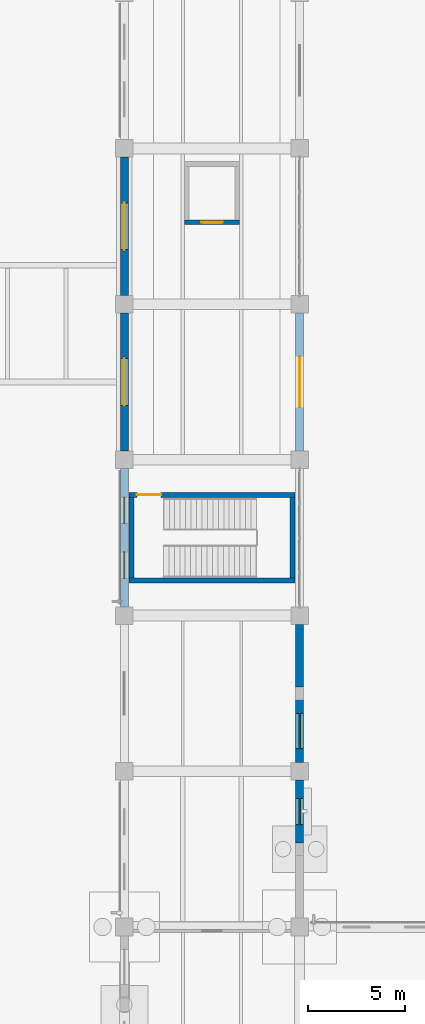
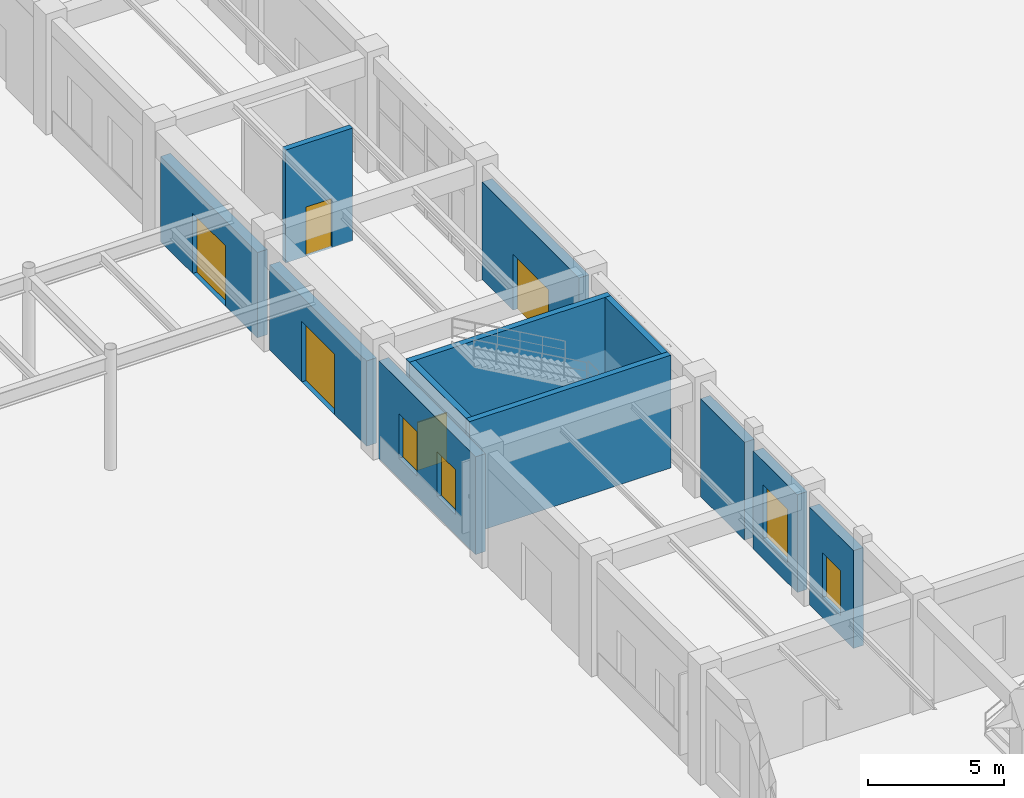
# One storey, part 92 of 121: 12 walls, 5 doors, 4 windows, 9 openings.
"""IFC4 building model written with IfcOpenShell, lengths in metres."""

from ifc_helpers import new_model, si_unit, derived_unit, direction, frame, frame_2d, origin, place, context, subcontext, project, spatial, rectangle, extrude, material, layer, layer_set, type_object, element, fill, save


model = new_model("IFC4")

# Units and contexts
model_context = context("Model", 3, precision=1e-05, world=origin(), true_north=direction((0.0, 1.0)))
body_context = subcontext(model_context, "Body", "Model", "MODEL_VIEW")
ifc_project = project(units=[si_unit("LENGTHUNIT", "METRE"), si_unit("AREAUNIT", "SQUARE_METRE"), si_unit("VOLUMEUNIT", "CUBIC_METRE"), si_unit("PLANEANGLEUNIT", "RADIAN"), si_unit("MASSUNIT", "GRAM", prefix="KILO"), derived_unit("THERMALTRANSMITTANCEUNIT", [(si_unit("MASSUNIT", "GRAM", prefix="KILO"), 1), (si_unit("TIMEUNIT", "SECOND"), -3), (si_unit("THERMODYNAMICTEMPERATUREUNIT", "KELVIN"), -1)])], contexts=[model_context])

# Site, building, storey
site_placement = place(None, origin())
site = spatial("IfcSite", under=ifc_project, at=site_placement, CompositionType="ELEMENT")
building_placement = place(site_placement, origin())
building = spatial("IfcBuilding", under=site, at=building_placement, Name="Zhenchuan Archway Interchange", CompositionType="ELEMENT")
storey_placement = place(building_placement, origin())
storey = spatial("IfcBuildingStorey", under=building, at=storey_placement, Name="L00", CompositionType="ELEMENT", Elevation=0.0)

# Wall, openings, windows
ifc_material_1 = material(Name="Granite Stone Cladding", Category="masonry")
ifc_layer_1 = layer(ifc_material_1, 0.419921875)
ifc_layer_set_1 = layer_set([ifc_layer_1], Name="Granite Stone Cladding")
wall_type_1 = type_object("IfcWallType", Name="EW_GRANITE_420", PredefinedType="STANDARD", material=ifc_layer_set_1)
wall_1_placement = place(storey_placement, frame((99.0, 40.447998046875, 0.0), z_axis=(0.0, 0.0, 1.0), x_axis=(0.0, 1.0, 0.0)))
wall_1 = element("IfcWall", 1, at=wall_1_placement, inside=storey, type_object=wall_type_1, Name="Exterior wall L00-091", PredefinedType="STANDARD", context=body_context, shape_type="SweptSolid", body=[
    extrude(rectangle(XDim=7.10400390625, YDim=0.419921875, at=frame_2d((3.552001953125, 0.0))), origin(), (0.0, 0.0, 1.0), 4.3798828125),
])
opening_1_placement = place(wall_1_placement, frame((1.468017578125, 0.0, 0.89990234375)))
opening_1 = element("IfcOpeningElement", 2, at=opening_1_placement, cuts=wall_1, Name="Opening W-06", PredefinedType="OPENING", context=body_context, shape_type="SweptSolid", body=[
    extrude(rectangle(XDim=1.35009765625, YDim=2.0, at=frame_2d((0.675048828125, 1.0))), frame((0.0, 0.221923828125, 0.0), z_axis=(0.0, -1.0, 0.0), x_axis=(1.0, 0.0, 0.0)), (0.0, 0.0, 1.0), 0.44384765625),
])
opening_2_placement = place(wall_1_placement, frame((4.285888671875, 0.0, 0.89990234375)))
opening_2 = element("IfcOpeningElement", 3, at=opening_2_placement, cuts=wall_1, Name="Opening W-06", PredefinedType="OPENING", context=body_context, shape_type="SweptSolid", body=[
    extrude(rectangle(XDim=1.35009765625, YDim=2.0, at=frame_2d((0.675048828125, 1.0))), frame((0.0, 0.221923828125, 0.0), z_axis=(0.0, -1.0, 0.0), x_axis=(1.0, 0.0, 0.0)), (0.0, 0.0, 1.0), 0.44384765625),
])
ifc_material_2 = material(Name="Double Low-E Insulated Glazing", Category="glass")
window_type_1 = type_object("IfcWindowType", Name="WN_MOD_1350x2000", PartitioningType="SINGLE_PANEL", PredefinedType="WINDOW", material=ifc_material_2)
window_1_placement = place(opening_1_placement, origin())
window_1 = element("IfcWindow", 4, at=window_1_placement, inside=storey, type_object=window_type_1, Name="Window L00-0071", OverallHeight=2.0, OverallWidth=1.35009765625, PartitioningType="SINGLE_PANEL", PredefinedType="WINDOW", context=body_context, shape_type="SweptSolid", body=[
    extrude(rectangle(XDim=1.35009765625, YDim=2.0, at=frame_2d((0.675048828125, 1.0))), frame((0.0, 0.030029296875, 0.0), z_axis=(0.0, -1.0, 0.0), x_axis=(1.0, 0.0, 0.0)), (0.0, 0.0, 1.0), 0.06005859375),
])
fill(opening_1, window_1)
window_2_placement = place(opening_2_placement, origin())
window_2 = element("IfcWindow", 5, at=window_2_placement, inside=storey, type_object=window_type_1, Name="Window L00-0072", OverallHeight=2.0, OverallWidth=1.35009765625, PartitioningType="SINGLE_PANEL", PredefinedType="WINDOW", context=body_context, shape_type="SweptSolid", body=[
    extrude(rectangle(XDim=1.35009765625, YDim=2.0, at=frame_2d((0.675048828125, 1.0))), frame((0.0, 0.030029296875, 0.0), z_axis=(0.0, -1.0, 0.0), x_axis=(1.0, 0.0, 0.0)), (0.0, 0.0, 1.0), 0.06005859375),
])
fill(opening_2, window_2)

# Wall, opening, door
wall_2_placement = place(storey_placement, frame((99.0, 48.447998046875, 0.0), z_axis=(0.0, 0.0, 1.0), x_axis=(0.0, 1.0, 0.0)))
wall_2 = element("IfcWall", 6, at=wall_2_placement, inside=storey, type_object=wall_type_1, Name="Exterior wall L00-092", PredefinedType="STANDARD", context=body_context, shape_type="SweptSolid", body=[
    extrude(rectangle(XDim=7.10400390625, YDim=0.419921875, at=frame_2d((3.552001953125, 0.0))), origin(), (0.0, 0.0, 1.0), 3.820068359375),
])
opening_3_placement = place(wall_2_placement, frame((2.35205078125, 0.0, 0.0)))
opening_3 = element("IfcOpeningElement", 7, at=opening_3_placement, cuts=wall_2, Name="Opening ED-01", PredefinedType="OPENING", context=body_context, shape_type="SweptSolid", body=[
    extrude(rectangle(XDim=2.39990234375, YDim=2.699951171875, at=frame_2d((1.199951171875, 1.35009765625))), frame((0.0, 0.221923828125, 0.0), z_axis=(0.0, -1.0, 0.0), x_axis=(1.0, 0.0, 0.0)), (0.0, 0.0, 1.0), 0.44384765625),
])
ifc_material_3 = material(Name="Anodised Aluminium", Category="aluminium")
door_type_1 = type_object("IfcDoorType", Name="ED_MAIN_2400x2700", OperationType="DOUBLE_DOOR_SINGLE_SWING", PredefinedType="DOOR", material=ifc_material_3)
door_1_placement = place(opening_3_placement, origin())
door_1 = element("IfcDoor", 8, at=door_1_placement, inside=storey, type_object=door_type_1, Name="Exterior entrance door L00-034", OperationType="SINGLE_SWING_LEFT", OverallHeight=2.699951171875, OverallWidth=2.39990234375, PredefinedType="DOOR", context=body_context, shape_type="SweptSolid", body=[
    extrude(rectangle(XDim=2.39990234375, YDim=2.699951171875, at=frame_2d((1.199951171875, 1.35009765625))), frame((0.0, 0.02490234375, 0.0), z_axis=(0.0, -1.0, 0.0), x_axis=(1.0, 0.0, 0.0)), (0.0, 0.0, 1.0), 0.050048828125),
])
fill(opening_3, door_1)

wall_3_placement = place(storey_placement, frame((99.0, 56.447998046875, 0.0), z_axis=(0.0, 0.0, 1.0), x_axis=(0.0, 1.0, 0.0)))
wall_3 = element("IfcWall", 9, at=wall_3_placement, inside=storey, type_object=wall_type_1, Name="Exterior wall L00-093", PredefinedType="STANDARD", context=body_context, shape_type="SweptSolid", body=[
    extrude(rectangle(XDim=7.10400390625, YDim=0.419921875, at=frame_2d((3.552001953125, 0.0))), origin(), (0.0, 0.0, 1.0), 3.820068359375),
])
opening_4_placement = place(wall_3_placement, frame((2.35205078125, 0.0, 0.0)))
opening_4 = element("IfcOpeningElement", 10, at=opening_4_placement, cuts=wall_3, Name="Opening ED-01", PredefinedType="OPENING", context=body_context, shape_type="SweptSolid", body=[
    extrude(rectangle(XDim=2.39990234375, YDim=2.699951171875, at=frame_2d((1.199951171875, 1.35009765625))), frame((0.0, 0.221923828125, 0.0), z_axis=(0.0, -1.0, 0.0), x_axis=(1.0, 0.0, 0.0)), (0.0, 0.0, 1.0), 0.44384765625),
])
door_2_placement = place(opening_4_placement, origin())
door_2 = element("IfcDoor", 11, at=door_2_placement, inside=storey, type_object=door_type_1, Name="Exterior entrance door L00-035", OperationType="SINGLE_SWING_LEFT", OverallHeight=2.699951171875, OverallWidth=2.39990234375, PredefinedType="DOOR", context=body_context, shape_type="SweptSolid", body=[
    extrude(rectangle(XDim=2.39990234375, YDim=2.699951171875, at=frame_2d((1.199951171875, 1.35009765625))), frame((0.0, 0.02490234375, 0.0), z_axis=(0.0, -1.0, 0.0), x_axis=(1.0, 0.0, 0.0)), (0.0, 0.0, 1.0), 0.050048828125),
])
fill(opening_4, door_2)

wall_4_placement = place(storey_placement, frame((108.0, 55.552001953125, 0.0), z_axis=(0.0, 0.0, 1.0), x_axis=(0.0, -1.0, 0.0)))
wall_4 = element("IfcWall", 12, at=wall_4_placement, inside=storey, type_object=wall_type_1, Name="Exterior wall L00-121", PredefinedType="STANDARD", context=body_context, shape_type="SweptSolid", body=[
    extrude(rectangle(XDim=7.10400390625, YDim=0.419921875, at=frame_2d((3.552001953125, 0.0))), origin(), (0.0, 0.0, 1.0), 4.3798828125),
])
opening_5_placement = place(wall_4_placement, frame((2.251953125, 0.0, 0.0)))
opening_5 = element("IfcOpeningElement", 13, at=opening_5_placement, cuts=wall_4, Name="Opening CG-02", PredefinedType="OPENING", context=body_context, shape_type="SweptSolid", body=[
    extrude(rectangle(XDim=2.60009765625, YDim=2.5, at=frame_2d((1.300048828125, 1.25))), frame((0.0, 0.221923828125, 0.0), z_axis=(0.0, -1.0, 0.0), x_axis=(1.0, 0.0, 0.0)), (0.0, 0.0, 1.0), 0.44384765625),
])
ifc_material_4 = material(Name="Painted Galvanised Steel", Category="steel")
door_type_2 = type_object("IfcDoorType", Name="CG_COURT_2600x2500", OperationType="DOUBLE_DOOR_SINGLE_SWING", PredefinedType="GATE", material=ifc_material_4)
door_3_placement = place(opening_5_placement, origin())
door_3 = element("IfcDoor", 14, at=door_3_placement, inside=storey, type_object=door_type_2, Name="Exterior entrance door L00-038", OperationType="SINGLE_SWING_LEFT", OverallHeight=2.5, OverallWidth=2.60009765625, PredefinedType="GATE", context=body_context, shape_type="SweptSolid", body=[
    extrude(rectangle(XDim=2.60009765625, YDim=2.5, at=frame_2d((1.300048828125, 1.25))), frame((0.0, 0.02490234375, 0.0), z_axis=(0.0, -1.0, 0.0), x_axis=(1.0, 0.0, 0.0)), (0.0, 0.0, 1.0), 0.050048828125),
])
fill(opening_5, door_3)

# Wall
wall_5_placement = place(storey_placement, frame((108.0, 39.552001953125, 0.0), z_axis=(0.0, 0.0, 1.0), x_axis=(0.0, -1.0, 0.0)))
element("IfcWall", 15, at=wall_5_placement, inside=storey, type_object=wall_type_1, Name="Exterior wall L00-123", PredefinedType="STANDARD", context=body_context, shape_type="SweptSolid", body=[
    extrude(rectangle(XDim=3.22900390625, YDim=0.419921875, at=frame_2d((1.614501953125, 0.0))), origin(), (0.0, 0.0, 1.0), 4.3798828125),
])

# Wall, opening, window
wall_6_placement = place(storey_placement, frame((108.0, 35.677001953125, 0.0), z_axis=(0.0, 0.0, 1.0), x_axis=(0.0, -1.0, 0.0)))
wall_6 = element("IfcWall", 16, at=wall_6_placement, inside=storey, type_object=wall_type_1, Name="Exterior wall L00-124", PredefinedType="STANDARD", context=body_context, shape_type="SweptSolid", body=[
    extrude(rectangle(XDim=3.22900390625, YDim=0.419921875, at=frame_2d((1.614501953125, 0.0))), origin(), (0.0, 0.0, 1.0), 4.3798828125),
])
opening_6_placement = place(wall_6_placement, frame((0.714599609375, 0.0, 0.89990234375)))
opening_6 = element("IfcOpeningElement", 17, at=opening_6_placement, cuts=wall_6, Name="Opening W-03", PredefinedType="OPENING", context=body_context, shape_type="SweptSolid", body=[
    extrude(rectangle(XDim=1.800048828125, YDim=2.39990234375, at=frame_2d((0.89990234375, 1.199951171875))), frame((0.0, 0.221923828125, 0.0), z_axis=(0.0, -1.0, 0.0), x_axis=(1.0, 0.0, 0.0)), (0.0, 0.0, 1.0), 0.44384765625),
])
window_type_2 = type_object("IfcWindowType", Name="WN_PUNCH_1800x2400", PartitioningType="SINGLE_PANEL", PredefinedType="WINDOW", material=ifc_material_2)
window_3_placement = place(opening_6_placement, origin())
window_3 = element("IfcWindow", 18, at=window_3_placement, inside=storey, type_object=window_type_2, Name="Window L00-0100", OverallHeight=2.39990234375, OverallWidth=1.800048828125, PartitioningType="SINGLE_PANEL", PredefinedType="WINDOW", context=body_context, shape_type="SweptSolid", body=[
    extrude(rectangle(XDim=1.800048828125, YDim=2.39990234375, at=frame_2d((0.89990234375, 1.199951171875))), frame((0.0, 0.030029296875, 0.0), z_axis=(0.0, -1.0, 0.0), x_axis=(1.0, 0.0, 0.0)), (0.0, 0.0, 1.0), 0.06005859375),
])
fill(opening_6, window_3)

wall_7_placement = place(storey_placement, frame((108.0, 31.552001953125, 0.0), z_axis=(0.0, 0.0, 1.0), x_axis=(0.0, -1.0, 0.0)))
wall_7 = element("IfcWall", 19, at=wall_7_placement, inside=storey, type_object=wall_type_1, Name="Exterior wall L00-125", PredefinedType="STANDARD", context=body_context, shape_type="SweptSolid", body=[
    extrude(rectangle(XDim=3.22900390625, YDim=0.419921875, at=frame_2d((1.614501953125, 0.0))), origin(), (0.0, 0.0, 1.0), 4.3798828125),
])
opening_7_placement = place(wall_7_placement, frame((0.939453125, 0.0, 0.89990234375)))
opening_7 = element("IfcOpeningElement", 20, at=opening_7_placement, cuts=wall_7, Name="Opening W-06", PredefinedType="OPENING", context=body_context, shape_type="SweptSolid", body=[
    extrude(rectangle(XDim=1.35009765625, YDim=2.0, at=frame_2d((0.675048828125, 1.0))), frame((0.0, 0.221923828125, 0.0), z_axis=(0.0, -1.0, 0.0), x_axis=(1.0, 0.0, 0.0)), (0.0, 0.0, 1.0), 0.44384765625),
])
window_4_placement = place(opening_7_placement, origin())
window_4 = element("IfcWindow", 21, at=window_4_placement, inside=storey, type_object=window_type_1, Name="Window L00-0101", OverallHeight=2.0, OverallWidth=1.35009765625, PartitioningType="SINGLE_PANEL", PredefinedType="WINDOW", context=body_context, shape_type="SweptSolid", body=[
    extrude(rectangle(XDim=1.35009765625, YDim=2.0, at=frame_2d((0.675048828125, 1.0))), frame((0.0, 0.030029296875, 0.0), z_axis=(0.0, -1.0, 0.0), x_axis=(1.0, 0.0, 0.0)), (0.0, 0.0, 1.0), 0.06005859375),
])
fill(opening_7, window_4)

# Wall, opening, door
ifc_material_5 = material(Name="Concrete C40", Category="concrete")
ifc_layer_2 = layer(ifc_material_5, 0.239990234375)
ifc_layer_set_2 = layer_set([ifc_layer_2], Name="Concrete C40")
wall_type_2 = type_object("IfcWallType", Name="WL_LIFT_240", PredefinedType="SHEAR", material=ifc_layer_set_2)
wall_8_placement = place(storey_placement, frame((102.080078125, 60.199951171875, 0.0), z_axis=(0.0, 0.0, 1.0), x_axis=(1.0, 0.0, 0.0)))
wall_8 = element("IfcWall", 22, at=wall_8_placement, inside=storey, type_object=wall_type_2, Name="Lift LF-05 south shaft wall (L00)", PredefinedType="SHEAR", context=body_context, shape_type="SweptSolid", body=[
    extrude(rectangle(XDim=2.83984375, YDim=0.239990234375, at=frame_2d((1.419921875, 0.0))), origin(), (0.0, 0.0, 1.0), 5.050048828125),
])
opening_8_placement = place(wall_8_placement, frame((0.8701171875, 0.0, 0.0)))
opening_8 = element("IfcOpeningElement", 23, at=opening_8_placement, cuts=wall_8, Name="Opening LD-01", PredefinedType="OPENING", context=body_context, shape_type="SweptSolid", body=[
    extrude(rectangle(XDim=1.10009765625, YDim=2.199951171875, at=frame_2d((0.550048828125, 1.10009765625))), frame((0.0, 0.1318359375, 0.0), z_axis=(0.0, -1.0, 0.0), x_axis=(1.0, 0.0, 0.0)), (0.0, 0.0, 1.0), 0.263916015625),
])
ifc_material_6 = material(Name="Stainless Steel 304", Category="steel")
door_type_3 = type_object("IfcDoorType", Name="DR_LIFT_LD110", OperationType="DOUBLE_DOOR_SLIDING", PredefinedType="DOOR", material=ifc_material_6)
door_4_placement = place(opening_8_placement, origin())
door_4 = element("IfcDoor", 24, at=door_4_placement, inside=storey, type_object=door_type_3, Name="Lift LF-05 landing door (L00)", OperationType="DOUBLE_DOOR_SLIDING", OverallHeight=2.199951171875, OverallWidth=1.10009765625, PredefinedType="DOOR", context=body_context, shape_type="SweptSolid", body=[
    extrude(rectangle(XDim=1.10009765625, YDim=2.199951171875, at=frame_2d((0.550048828125, 1.10009765625))), frame((0.0, 0.02490234375, 0.0), z_axis=(0.0, -1.0, 0.0), x_axis=(1.0, 0.0, 0.0)), (0.0, 0.0, 1.0), 0.050048828125),
])
fill(opening_8, door_4)

# Wall
ifc_layer_3 = layer(ifc_material_5, 0.25)
ifc_layer_set_3 = layer_set([ifc_layer_3], Name="Concrete C40")
wall_type_3 = type_object("IfcWallType", Name="WL_STAIR_250", PredefinedType="SHEAR", material=ifc_layer_set_3)
wall_9_placement = place(storey_placement, frame((99.235107421875, 41.800048828125, 0.0), z_axis=(0.0, 0.0, 1.0), x_axis=(1.0, 0.0, 0.0)))
element("IfcWall", 25, at=wall_9_placement, inside=storey, type_object=wall_type_3, Name="Stair ST-BR south wall (L00)", PredefinedType="SHEAR", context=body_context, shape_type="SweptSolid", body=[
    extrude(rectangle(XDim=8.52978515625, YDim=0.25, at=frame_2d((4.264892578125, 0.0))), origin(), (0.0, 0.0, 1.0), 5.050048828125),
])

# Wall, opening, door
wall_10_placement = place(storey_placement, frame((107.764892578125, 46.199951171875, 0.0), z_axis=(0.0, 0.0, 1.0), x_axis=(-1.0, 0.0, 0.0)))
wall_10 = element("IfcWall", 26, at=wall_10_placement, inside=storey, type_object=wall_type_3, Name="Stair ST-BR north wall (L00)", PredefinedType="SHEAR", context=body_context, shape_type="SweptSolid", body=[
    extrude(rectangle(XDim=8.52978515625, YDim=0.25, at=frame_2d((4.264892578125, 0.0))), origin(), (0.0, 0.0, 1.0), 5.050048828125),
])
opening_9_placement = place(wall_10_placement, frame((6.875, 0.0, 0.0)))
opening_9 = element("IfcOpeningElement", 27, at=opening_9_placement, cuts=wall_10, Name="Opening FD-01", PredefinedType="OPENING", context=body_context, shape_type="SweptSolid", body=[
    extrude(rectangle(XDim=1.25, YDim=2.14990234375, at=frame_2d((0.625, 1.074951171875))), frame((0.0, 0.136962890625, 0.0), z_axis=(0.0, -1.0, 0.0), x_axis=(1.0, 0.0, 0.0)), (0.0, 0.0, 1.0), 0.27392578125),
])
door_type_4 = type_object("IfcDoorType", Name="DR_STAIR_FD90", OperationType="NOTDEFINED", PredefinedType="DOOR", material=ifc_material_4)
door_5_placement = place(opening_9_placement, frame((1.25, 0.0, 0.0), z_axis=(0.0, 0.0, 1.0), x_axis=(-1.0, 0.0, 0.0)))
door_5 = element("IfcDoor", 28, at=door_5_placement, inside=storey, type_object=door_type_4, Name="Stair ST-BR fire door (L00)", OperationType="SINGLE_SWING_LEFT", OverallHeight=2.14990234375, OverallWidth=1.25, PredefinedType="DOOR", context=body_context, shape_type="SweptSolid", body=[
    extrude(rectangle(XDim=1.25, YDim=2.14990234375, at=frame_2d((0.625, 1.074951171875))), frame((0.0, 0.02490234375, 0.0), z_axis=(0.0, -1.0, 0.0), x_axis=(1.0, 0.0, 0.0)), (0.0, 0.0, 1.0), 0.050048828125),
])
fill(opening_9, door_5)

# Walls
for number, where, z_axis, x_axis, name in (
    (29, (99.360107421875, 46.074951171875, 0.0), (0.0, 0.0, 1.0), (0.0, -1.0, 0.0), "Stair ST-BR west wall (L00)"),
    (30, (107.639892578125, 41.925048828125, 0.0), (0.0, 0.0, 1.0), (0.0, 1.0, 0.0), "Stair ST-BR east wall (L00)"),
):
    element("IfcWall", number, at=place(storey_placement, frame(where, z_axis=z_axis, x_axis=x_axis)), inside=storey, type_object=wall_type_3, Name=name, PredefinedType="SHEAR", context=body_context, shape_type="SweptSolid", body=[
        extrude(rectangle(XDim=4.14990234375, YDim=0.25, at=frame_2d((2.074951171875, 0.0))), origin(), (0.0, 0.0, 1.0), 5.050048828125),
    ])

save(model, "model.ifc")
